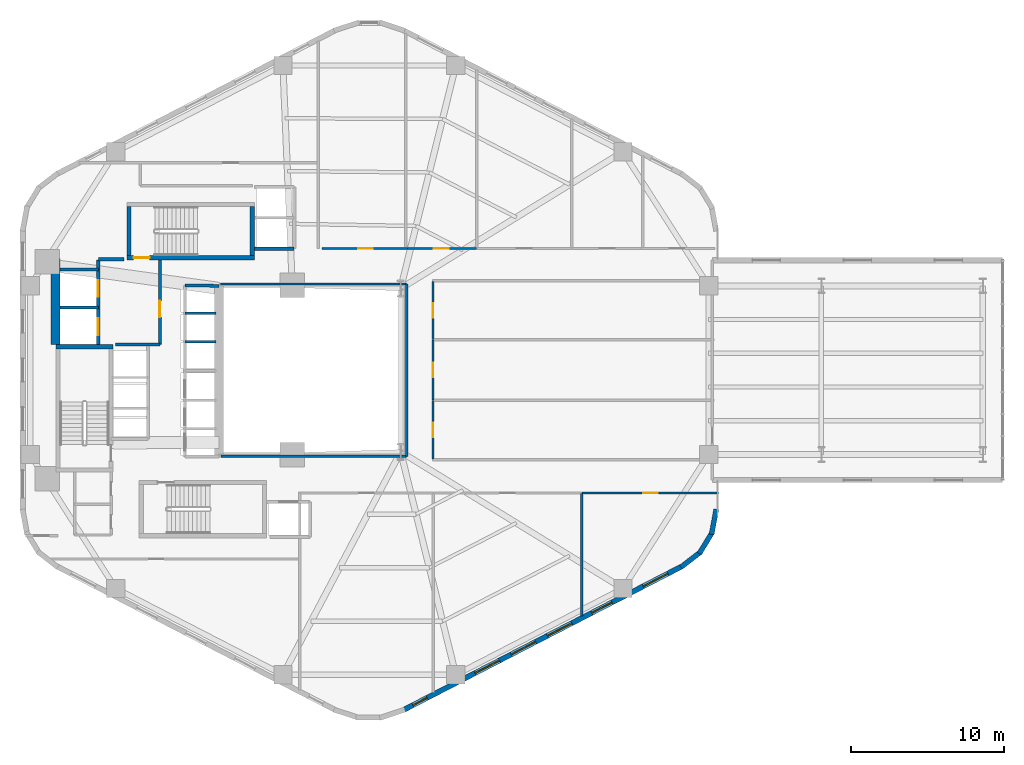
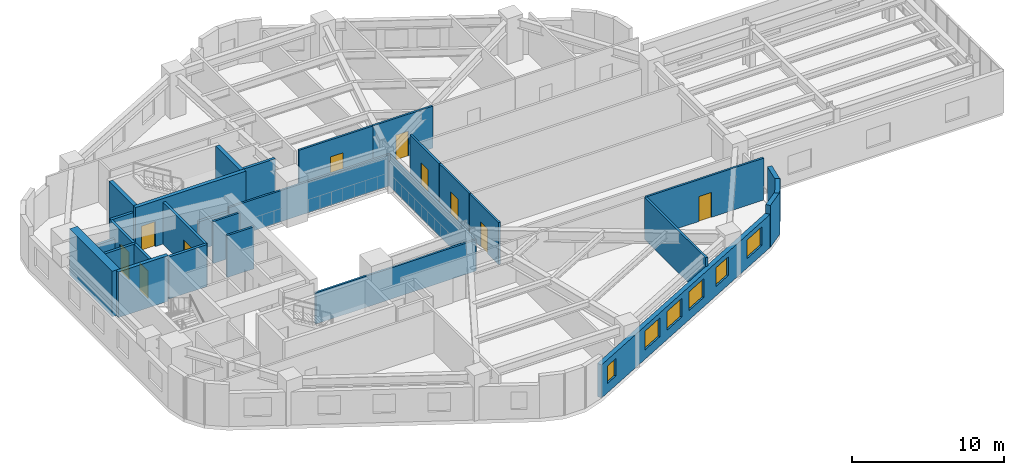
# One storey, part 6 of 10: 29 walls, 10 doors, 6 windows, 16 openings.
"""IFC4 building model written with IfcOpenShell, lengths in metres."""

from ifc_helpers import new_model, si_unit, direction, frame, frame_2d, origin, place, context, subcontext, project, spatial, rectangle, extrude, material, layer, layer_set, type_object, element, fill, save


model = new_model("IFC4")

# Units and contexts
model_context = context("Model", 3, precision=1e-05, world=origin(), true_north=direction((0.0, 1.0)))
body_context = subcontext(model_context, "Body", "Model", "MODEL_VIEW")
ifc_project = project(units=[si_unit("LENGTHUNIT", "METRE"), si_unit("AREAUNIT", "SQUARE_METRE"), si_unit("VOLUMEUNIT", "CUBIC_METRE"), si_unit("PLANEANGLEUNIT", "RADIAN"), si_unit("MASSUNIT", "GRAM", prefix="KILO"), si_unit("THERMODYNAMICTEMPERATUREUNIT", "KELVIN"), si_unit("POWERUNIT", "WATT")], contexts=[model_context])

# Site, building, storey
site_placement = place(None, origin())
site = spatial("IfcSite", under=ifc_project, at=site_placement, CompositionType="ELEMENT")
building_placement = place(site_placement, origin())
building = spatial("IfcBuilding", under=site, at=building_placement, Name="Skarre Station Tower", CompositionType="ELEMENT")
storey_placement = place(building_placement, frame((0.0, 0.0, 52.550048828125)))
storey = spatial("IfcBuildingStorey", under=building, at=storey_placement, Name="L13", CompositionType="ELEMENT", Elevation=52.550048828125)

# Walls
ifc_material_1 = material(Name="Acoustic Steel-Stud Gypsum Partition", Category="steel")
ifc_layer_1 = layer(ifc_material_1, 0.14990234375, Name="Acoustic Steel-Stud Gypsum Partition")
ifc_layer_set_1 = layer_set([ifc_layer_1], Name="Acoustic Steel-Stud Gypsum Partition")
wall_type_1 = type_object("IfcWallType", Name="Fire-Rated Corridor Acoustic Partition 150", PredefinedType="PARTITIONING", material=ifc_layer_set_1)
wall_1_placement = place(storey_placement, frame((27.699951171875, 18.360107421875, 0.0), z_axis=(0.0, 0.0, 1.0), x_axis=(1.0, 0.0, 0.0)))
element("IfcWall", 1, at=wall_1_placement, inside=storey, type_object=wall_type_1, Name="L13 Interior Partition WL-PT-L13-ATRW-S", PredefinedType="PARTITIONING", context=body_context, shape_type="SweptSolid", body=[
    extrude(rectangle(XDim=12.14013671875, YDim=0.14990234375, at=frame_2d((6.070068359375, 0.0))), origin(), (0.0, 0.0, 1.0), 2.5009765625),
])
wall_2_placement = place(storey_placement, frame((39.840087890625, 29.639892578125, 0.0), z_axis=(0.0, 0.0, 1.0), x_axis=(-1.0, 0.0, 0.0)))
element("IfcWall", 2, at=wall_2_placement, inside=storey, type_object=wall_type_1, Name="L13 Interior Partition WL-PT-L13-ATRW-N", PredefinedType="PARTITIONING", context=body_context, shape_type="SweptSolid", body=[
    extrude(rectangle(XDim=12.2001953125, YDim=0.14990234375, at=frame_2d((6.10009765625, 0.0))), origin(), (0.0, 0.0, 1.0), 2.5009765625),
])
wall_3_placement = place(storey_placement, frame((39.840087890625, 18.360107421875, 0.0), z_axis=(0.0, 0.0, 1.0), x_axis=(0.0, 1.0, 0.0)))
element("IfcWall", 3, at=wall_3_placement, inside=storey, type_object=wall_type_1, Name="L13 Interior Partition WL-PT-L13-ATRW-E", PredefinedType="PARTITIONING", context=body_context, shape_type="SweptSolid", body=[
    extrude(rectangle(XDim=11.27978515625, YDim=0.14990234375, at=frame_2d((5.639892578125, 0.0))), origin(), (0.0, 0.0, 1.0), 2.48291015625),
])

# Wall, opening, door
wall_4_placement = place(storey_placement, frame((39.89404296875, 31.9599609375, 0.0), z_axis=(0.0, 0.0, 1.0), x_axis=(-1.0, 0.0, 0.0)))
wall_4 = element("IfcWall", 4, at=wall_4_placement, inside=storey, type_object=wall_type_1, Name="L13 Interior Partition WL-PT-L13-NW1-CW", PredefinedType="PARTITIONING", context=body_context, shape_type="SweptSolid", body=[
    extrude(rectangle(XDim=5.60400390625, YDim=0.14990234375, at=frame_2d((2.802001953125, 0.0))), origin(), (0.0, 0.0, 1.0), 3.35986328125),
])
opening_1_placement = place(wall_4_placement, frame((2.264892578125, 0.0, 0.0)))
opening_1 = element("IfcOpeningElement", 5, at=opening_1_placement, cuts=wall_4, Name="Opening DR-FD60", PredefinedType="OPENING", context=body_context, shape_type="SweptSolid", body=[
    extrude(rectangle(XDim=0.9599609375, YDim=2.0, at=frame_2d((0.47998046875, 1.0))), frame((0.0, 0.0849609375, 0.0), z_axis=(0.0, -1.0, 0.0), x_axis=(1.0, 0.0, 0.0)), (0.0, 0.0, 1.0), 0.169921875),
])
ifc_material_2 = material(Name="Nordic White-Oak Veneer Solid-Core Fire Leaf", Category="wood")
door_type_1 = type_object("IfcDoorType", Name="Corridor Suite Entry Fire Door FD60 960x2150", OperationType="SINGLE_SWING_LEFT", PredefinedType="DOOR", material=ifc_material_2)
door_1_placement = place(opening_1_placement, origin())
door_1 = element("IfcDoor", 6, at=door_1_placement, inside=storey, type_object=door_type_1, Name="L13 NW1 Entry Door", OperationType="SINGLE_SWING_LEFT", OverallHeight=2.0, OverallWidth=0.9599609375, PredefinedType="DOOR", context=body_context, shape_type="SweptSolid", body=[
    extrude(rectangle(XDim=0.9599609375, YDim=2.0, at=frame_2d((0.47998046875, 1.0))), frame((0.0, 0.02490234375, 0.0), z_axis=(0.0, -1.0, 0.0), x_axis=(1.0, 0.0, 0.0)), (0.0, 0.0, 1.0), 0.050048828125),
])
fill(opening_1, door_1)

wall_5_placement = place(storey_placement, frame((44.4169921875, 31.9599609375, 0.0), z_axis=(0.0, 0.0, 1.0), x_axis=(-1.0, 0.0, 0.0)))
wall_5 = element("IfcWall", 7, at=wall_5_placement, inside=storey, type_object=wall_type_1, Name="L13 Interior Partition WL-PT-L13-NW2-CW", PredefinedType="PARTITIONING", context=body_context, shape_type="SweptSolid", body=[
    extrude(rectangle(XDim=4.512939453125, YDim=0.14990234375, at=frame_2d((2.25634765625, 0.0))), origin(), (0.0, 0.0, 1.0), 3.35986328125),
])
opening_2_placement = place(wall_5_placement, frame((1.833984375, 0.0, 0.0)))
opening_2 = element("IfcOpeningElement", 8, at=opening_2_placement, cuts=wall_5, Name="Opening DR-FD60", PredefinedType="OPENING", context=body_context, shape_type="SweptSolid", body=[
    extrude(rectangle(XDim=0.9599609375, YDim=2.0, at=frame_2d((0.47998046875, 1.0))), frame((0.0, 0.0849609375, 0.0), z_axis=(0.0, -1.0, 0.0), x_axis=(1.0, 0.0, 0.0)), (0.0, 0.0, 1.0), 0.169921875),
])
door_2_placement = place(opening_2_placement, origin())
door_2 = element("IfcDoor", 9, at=door_2_placement, inside=storey, type_object=door_type_1, Name="L13 NW2 Entry Door", OperationType="SINGLE_SWING_LEFT", OverallHeight=2.0, OverallWidth=0.9599609375, PredefinedType="DOOR", context=body_context, shape_type="SweptSolid", body=[
    extrude(rectangle(XDim=0.9599609375, YDim=2.0, at=frame_2d((0.47998046875, 1.0))), frame((0.0, 0.02490234375, 0.0), z_axis=(0.0, -1.0, 0.0), x_axis=(1.0, 0.0, 0.0)), (0.0, 0.0, 1.0), 0.050048828125),
])
fill(opening_2, door_2)

wall_6_placement = place(storey_placement, frame((41.56005859375, 18.179931640625, 0.0), z_axis=(0.0, 0.0, 1.0), x_axis=(0.0, 1.0, 0.0)))
wall_6 = element("IfcWall", 10, at=wall_6_placement, inside=storey, type_object=wall_type_1, Name="L13 Interior Partition WL-PT-L13-EW1-CW", PredefinedType="PARTITIONING", context=body_context, shape_type="SweptSolid", body=[
    extrude(rectangle(XDim=3.822998046875, YDim=0.14990234375, at=frame_2d((1.91162109375, 0.0))), origin(), (0.0, 0.0, 1.0), 3.35986328125),
])
opening_3_placement = place(wall_6_placement, frame((1.431884765625, 0.0, 0.0)))
opening_3 = element("IfcOpeningElement", 11, at=opening_3_placement, cuts=wall_6, Name="Opening DR-FD60", PredefinedType="OPENING", context=body_context, shape_type="SweptSolid", body=[
    extrude(rectangle(XDim=0.9599609375, YDim=2.0, at=frame_2d((0.47998046875, 1.0))), frame((0.0, 0.0849609375, 0.0), z_axis=(0.0, -1.0, 0.0), x_axis=(1.0, 0.0, 0.0)), (0.0, 0.0, 1.0), 0.169921875),
])
door_3_placement = place(opening_3_placement, origin())
door_3 = element("IfcDoor", 12, at=door_3_placement, inside=storey, type_object=door_type_1, Name="L13 EW1 Entry Door", OperationType="SINGLE_SWING_LEFT", OverallHeight=2.0, OverallWidth=0.9599609375, PredefinedType="DOOR", context=body_context, shape_type="SweptSolid", body=[
    extrude(rectangle(XDim=0.9599609375, YDim=2.0, at=frame_2d((0.47998046875, 1.0))), frame((0.0, 0.02490234375, 0.0), z_axis=(0.0, -1.0, 0.0), x_axis=(1.0, 0.0, 0.0)), (0.0, 0.0, 1.0), 0.050048828125),
])
fill(opening_3, door_3)

wall_7_placement = place(storey_placement, frame((41.56005859375, 22.0390625, 0.0), z_axis=(0.0, 0.0, 1.0), x_axis=(0.0, 1.0, 0.0)))
wall_7 = element("IfcWall", 13, at=wall_7_placement, inside=storey, type_object=wall_type_1, Name="L13 Interior Partition WL-PT-L13-EW2-CW", PredefinedType="PARTITIONING", context=body_context, shape_type="SweptSolid", body=[
    extrude(rectangle(XDim=3.921875, YDim=0.14990234375, at=frame_2d((1.9609375, 0.0))), origin(), (0.0, 0.0, 1.0), 3.35986328125),
])
opening_4_placement = place(wall_7_placement, frame((1.48095703125, 0.0, 0.0)))
opening_4 = element("IfcOpeningElement", 14, at=opening_4_placement, cuts=wall_7, Name="Opening DR-FD60", PredefinedType="OPENING", context=body_context, shape_type="SweptSolid", body=[
    extrude(rectangle(XDim=0.9599609375, YDim=2.0, at=frame_2d((0.47998046875, 1.0))), frame((0.0, 0.0849609375, 0.0), z_axis=(0.0, -1.0, 0.0), x_axis=(1.0, 0.0, 0.0)), (0.0, 0.0, 1.0), 0.169921875),
])
door_4_placement = place(opening_4_placement, origin())
door_4 = element("IfcDoor", 15, at=door_4_placement, inside=storey, type_object=door_type_1, Name="L13 EW2 Entry Door", OperationType="SINGLE_SWING_LEFT", OverallHeight=2.0, OverallWidth=0.9599609375, PredefinedType="DOOR", context=body_context, shape_type="SweptSolid", body=[
    extrude(rectangle(XDim=0.9599609375, YDim=2.0, at=frame_2d((0.47998046875, 1.0))), frame((0.0, 0.02490234375, 0.0), z_axis=(0.0, -1.0, 0.0), x_axis=(1.0, 0.0, 0.0)), (0.0, 0.0, 1.0), 0.050048828125),
])
fill(opening_4, door_4)

wall_8_placement = place(storey_placement, frame((41.56005859375, 25.9970703125, 0.0), z_axis=(0.0, 0.0, 1.0), x_axis=(0.0, 1.0, 0.0)))
wall_8 = element("IfcWall", 16, at=wall_8_placement, inside=storey, type_object=wall_type_1, Name="L13 Interior Partition WL-PT-L13-EW3-CW", PredefinedType="PARTITIONING", context=body_context, shape_type="SweptSolid", body=[
    extrude(rectangle(XDim=3.822998046875, YDim=0.14990234375, at=frame_2d((1.91162109375, 0.0))), origin(), (0.0, 0.0, 1.0), 3.35986328125),
])
opening_5_placement = place(wall_8_placement, frame((1.431884765625, 0.0, 0.0)))
opening_5 = element("IfcOpeningElement", 17, at=opening_5_placement, cuts=wall_8, Name="Opening DR-FD60", PredefinedType="OPENING", context=body_context, shape_type="SweptSolid", body=[
    extrude(rectangle(XDim=0.9599609375, YDim=2.0, at=frame_2d((0.47998046875, 1.0))), frame((0.0, 0.0849609375, 0.0), z_axis=(0.0, -1.0, 0.0), x_axis=(1.0, 0.0, 0.0)), (0.0, 0.0, 1.0), 0.169921875),
])
door_5_placement = place(opening_5_placement, origin())
door_5 = element("IfcDoor", 18, at=door_5_placement, inside=storey, type_object=door_type_1, Name="L13 EW3 Entry Door", OperationType="SINGLE_SWING_LEFT", OverallHeight=2.0, OverallWidth=0.9599609375, PredefinedType="DOOR", context=body_context, shape_type="SweptSolid", body=[
    extrude(rectangle(XDim=0.9599609375, YDim=2.0, at=frame_2d((0.47998046875, 1.0))), frame((0.0, 0.02490234375, 0.0), z_axis=(0.0, -1.0, 0.0), x_axis=(1.0, 0.0, 0.0)), (0.0, 0.0, 1.0), 0.050048828125),
])
fill(opening_5, door_5)

wall_9_placement = place(storey_placement, frame((51.326904296875, 15.9599609375, 0.0), z_axis=(0.0, 0.0, 1.0), x_axis=(1.0, 0.0, 0.0)))
wall_9 = element("IfcWall", 19, at=wall_9_placement, inside=storey, type_object=wall_type_1, Name="L13 Interior Partition WL-PT-L13-SW3-CW", PredefinedType="PARTITIONING", context=body_context, shape_type="SweptSolid", body=[
    extrude(rectangle(XDim=8.926025390625, YDim=0.14990234375, at=frame_2d((4.462890625, 0.0))), origin(), (0.0, 0.0, 1.0), 3.35986328125),
])
opening_6_placement = place(wall_9_placement, frame((3.9970703125, 0.0, 0.0)))
opening_6 = element("IfcOpeningElement", 20, at=opening_6_placement, cuts=wall_9, Name="Opening DR-FD60", PredefinedType="OPENING", context=body_context, shape_type="SweptSolid", body=[
    extrude(rectangle(XDim=0.9599609375, YDim=2.0, at=frame_2d((0.47998046875, 1.0))), frame((0.0, 0.0849609375, 0.0), z_axis=(0.0, -1.0, 0.0), x_axis=(1.0, 0.0, 0.0)), (0.0, 0.0, 1.0), 0.169921875),
])
door_6_placement = place(opening_6_placement, origin())
door_6 = element("IfcDoor", 21, at=door_6_placement, inside=storey, type_object=door_type_1, Name="L13 SW3 Entry Door", OperationType="SINGLE_SWING_LEFT", OverallHeight=2.0, OverallWidth=0.9599609375, PredefinedType="DOOR", context=body_context, shape_type="SweptSolid", body=[
    extrude(rectangle(XDim=0.9599609375, YDim=2.0, at=frame_2d((0.47998046875, 1.0))), frame((0.0, 0.02490234375, 0.0), z_axis=(0.0, -1.0, 0.0), x_axis=(1.0, 0.0, 0.0)), (0.0, 0.0, 1.0), 0.050048828125),
])
fill(opening_6, door_6)

# Wall, openings, windows
ifc_material_3 = material(Name="Precast concrete C45/55", Category="concrete")
ifc_layer_2 = layer(ifc_material_3, 0.340087890625, Name="Precast concrete C45/55")
ifc_layer_set_2 = layer_set([ifc_layer_2], Name="Precast concrete C45/55")
wall_type_2 = type_object("IfcWallType", Name="Nordic Honed Precast Facet Wall 340", PredefinedType="STANDARD", material=ifc_layer_set_2)
wall_10_placement = place(storey_placement, frame((57.8759765625, 11.158935546875, 0.0), z_axis=(0.0, 0.0, 1.0), x_axis=(-0.888634413993, -0.458616264721, 0.0)))
wall_10 = element("IfcWall", 22, at=wall_10_placement, inside=storey, type_object=wall_type_2, Name="L13 Facet 4 Nordic Precast Masonry Wall", PredefinedType="STANDARD", context=body_context, shape_type="SweptSolid", body=[
    extrude(rectangle(XDim=20.53125, YDim=0.340087890625, at=frame_2d((10.265625, 0.0))), origin(), (0.0, 0.0, 1.0), 2.654052734375),
])
opening_7_placement = place(wall_10_placement, frame((1.05810546875, 0.0, 0.75)))
opening_7 = element("IfcOpeningElement", 23, at=opening_7_placement, cuts=wall_10, Name="Opening WN-Z1A", PredefinedType="OPENING", context=body_context, shape_type="SweptSolid", body=[
    extrude(rectangle(XDim=1.800048828125, YDim=1.5, at=frame_2d((0.89990234375, 0.75))), frame((0.0, 0.179931640625, 0.0), z_axis=(0.0, -1.0, 0.0), x_axis=(1.0, 0.0, 0.0)), (0.0, 0.0, 1.0), 0.360107421875),
])
opening_8_placement = place(wall_10_placement, frame((5.156005859375, 0.0, 0.75)))
opening_8 = element("IfcOpeningElement", 24, at=opening_8_placement, cuts=wall_10, Name="Opening WN-Z1B", PredefinedType="OPENING", context=body_context, shape_type="SweptSolid", body=[
    extrude(rectangle(XDim=1.5, YDim=1.5, at=frame_2d((0.75, 0.75))), frame((0.0, 0.179931640625, 0.0), z_axis=(0.0, -1.0, 0.0), x_axis=(1.0, 0.0, 0.0)), (0.0, 0.0, 1.0), 0.360107421875),
])
opening_9_placement = place(wall_10_placement, frame((8.123046875, 0.0, 0.75)))
opening_9 = element("IfcOpeningElement", 25, at=opening_9_placement, cuts=wall_10, Name="Opening WN-Z1A", PredefinedType="OPENING", context=body_context, shape_type="SweptSolid", body=[
    extrude(rectangle(XDim=1.800048828125, YDim=1.5, at=frame_2d((0.89990234375, 0.75))), frame((0.0, 0.179931640625, 0.0), z_axis=(0.0, -1.0, 0.0), x_axis=(1.0, 0.0, 0.0)), (0.0, 0.0, 1.0), 0.360107421875),
])
opening_10_placement = place(wall_10_placement, frame((10.7880859375, 0.0, 0.75)))
opening_10 = element("IfcOpeningElement", 26, at=opening_10_placement, cuts=wall_10, Name="Opening WN-Z1A", PredefinedType="OPENING", context=body_context, shape_type="SweptSolid", body=[
    extrude(rectangle(XDim=1.800048828125, YDim=1.5, at=frame_2d((0.89990234375, 0.75))), frame((0.0, 0.179931640625, 0.0), z_axis=(0.0, -1.0, 0.0), x_axis=(1.0, 0.0, 0.0)), (0.0, 0.0, 1.0), 0.360107421875),
])
opening_11_placement = place(wall_10_placement, frame((13.452880859375, 0.0, 0.75)))
opening_11 = element("IfcOpeningElement", 27, at=opening_11_placement, cuts=wall_10, Name="Opening WN-Z1A", PredefinedType="OPENING", context=body_context, shape_type="SweptSolid", body=[
    extrude(rectangle(XDim=1.800048828125, YDim=1.5, at=frame_2d((0.89990234375, 0.75))), frame((0.0, 0.179931640625, 0.0), z_axis=(0.0, -1.0, 0.0), x_axis=(1.0, 0.0, 0.0)), (0.0, 0.0, 1.0), 0.360107421875),
])
opening_12_placement = place(wall_10_placement, frame((18.7880859375, 0.0, 0.75)))
opening_12 = element("IfcOpeningElement", 28, at=opening_12_placement, cuts=wall_10, Name="Opening WN-SLT", PredefinedType="OPENING", context=body_context, shape_type="SweptSolid", body=[
    extrude(rectangle(XDim=1.050048828125, YDim=1.39990234375, at=frame_2d((0.52490234375, 0.699951171875))), frame((0.0, 0.179931640625, 0.0), z_axis=(0.0, -1.0, 0.0), x_axis=(1.0, 0.0, 0.0)), (0.0, 0.0, 1.0), 0.360107421875),
])
ifc_material_4 = material(Name="Low-Iron Triple Glazing with Bronze Anodized Frame", Category="glass")
window_type_1 = type_object("IfcWindowType", Name="Nordic Corner Slot Window 1050x1400", PartitioningType="SINGLE_PANEL", PredefinedType="WINDOW", material=ifc_material_4)
window_1_placement = place(opening_12_placement, origin())
window_1 = element("IfcWindow", 29, at=window_1_placement, inside=storey, type_object=window_type_1, Name="L13 Facade Window WL-FAC-L13-F4-6", OverallHeight=1.39990234375, OverallWidth=1.050048828125, PartitioningType="SINGLE_PANEL", PredefinedType="WINDOW", context=body_context, shape_type="SweptSolid", body=[
    extrude(rectangle(XDim=1.050048828125, YDim=1.39990234375, at=frame_2d((0.52490234375, 0.699951171875))), frame((0.0, 0.030029296875, 0.0), z_axis=(0.0, -1.0, 0.0), x_axis=(1.0, 0.0, 0.0)), (0.0, 0.0, 1.0), 0.06005859375),
])
fill(opening_12, window_1)
window_type_2 = type_object("IfcWindowType", Name="Nordic Punched Triple-Glazed Window 1500x1500", PartitioningType="SINGLE_PANEL", PredefinedType="WINDOW", material=ifc_material_4)
window_2_placement = place(opening_8_placement, origin())
window_2 = element("IfcWindow", 30, at=window_2_placement, inside=storey, type_object=window_type_2, Name="L13 Facade Window WL-FAC-L13-F4-2", OverallHeight=1.5, OverallWidth=1.5, PartitioningType="SINGLE_PANEL", PredefinedType="WINDOW", context=body_context, shape_type="SweptSolid", body=[
    extrude(rectangle(XDim=1.5, YDim=1.5, at=frame_2d((0.75, 0.75))), frame((0.0, 0.030029296875, 0.0), z_axis=(0.0, -1.0, 0.0), x_axis=(1.0, 0.0, 0.0)), (0.0, 0.0, 1.0), 0.06005859375),
])
fill(opening_8, window_2)
window_type_3 = type_object("IfcWindowType", Name="Nordic Punched Triple-Glazed Window 1800x1500", PartitioningType="SINGLE_PANEL", PredefinedType="WINDOW", material=ifc_material_4)
window_3_placement = place(opening_7_placement, origin())
window_3 = element("IfcWindow", 31, at=window_3_placement, inside=storey, type_object=window_type_3, Name="L13 Facade Window WL-FAC-L13-F4-1", OverallHeight=1.5, OverallWidth=1.800048828125, PartitioningType="SINGLE_PANEL", PredefinedType="WINDOW", context=body_context, shape_type="SweptSolid", body=[
    extrude(rectangle(XDim=1.800048828125, YDim=1.5, at=frame_2d((0.89990234375, 0.75))), frame((0.0, 0.030029296875, 0.0), z_axis=(0.0, -1.0, 0.0), x_axis=(1.0, 0.0, 0.0)), (0.0, 0.0, 1.0), 0.06005859375),
])
fill(opening_7, window_3)
window_4_placement = place(opening_9_placement, origin())
window_4 = element("IfcWindow", 32, at=window_4_placement, inside=storey, type_object=window_type_3, Name="L13 Facade Window WL-FAC-L13-F4-3", OverallHeight=1.5, OverallWidth=1.800048828125, PartitioningType="SINGLE_PANEL", PredefinedType="WINDOW", context=body_context, shape_type="SweptSolid", body=[
    extrude(rectangle(XDim=1.800048828125, YDim=1.5, at=frame_2d((0.89990234375, 0.75))), frame((0.0, 0.030029296875, 0.0), z_axis=(0.0, -1.0, 0.0), x_axis=(1.0, 0.0, 0.0)), (0.0, 0.0, 1.0), 0.06005859375),
])
fill(opening_9, window_4)
window_5_placement = place(opening_10_placement, origin())
window_5 = element("IfcWindow", 33, at=window_5_placement, inside=storey, type_object=window_type_3, Name="L13 Facade Window WL-FAC-L13-F4-4", OverallHeight=1.5, OverallWidth=1.800048828125, PartitioningType="SINGLE_PANEL", PredefinedType="WINDOW", context=body_context, shape_type="SweptSolid", body=[
    extrude(rectangle(XDim=1.800048828125, YDim=1.5, at=frame_2d((0.89990234375, 0.75))), frame((0.0, 0.030029296875, 0.0), z_axis=(0.0, -1.0, 0.0), x_axis=(1.0, 0.0, 0.0)), (0.0, 0.0, 1.0), 0.06005859375),
])
fill(opening_10, window_5)
window_6_placement = place(opening_11_placement, origin())
window_6 = element("IfcWindow", 34, at=window_6_placement, inside=storey, type_object=window_type_3, Name="L13 Facade Window WL-FAC-L13-F4-5", OverallHeight=1.5, OverallWidth=1.800048828125, PartitioningType="SINGLE_PANEL", PredefinedType="WINDOW", context=body_context, shape_type="SweptSolid", body=[
    extrude(rectangle(XDim=1.800048828125, YDim=1.5, at=frame_2d((0.89990234375, 0.75))), frame((0.0, 0.030029296875, 0.0), z_axis=(0.0, -1.0, 0.0), x_axis=(1.0, 0.0, 0.0)), (0.0, 0.0, 1.0), 0.06005859375),
])
fill(opening_11, window_6)

# Walls
ifc_layer_3 = layer(ifc_material_3, 0.330078125, Name="Precast concrete C45/55")
ifc_layer_set_3 = layer_set([ifc_layer_3], Name="Precast concrete C45/55")
wall_type_3 = type_object("IfcWallType", Name="Nordic Rounded Corner Precast Wall 330", PredefinedType="STANDARD", material=ifc_layer_set_3)
wall_11_placement = place(storey_placement, frame((60.113037109375, 14.89208984375, 0.0), z_axis=(0.0, 0.0, 1.0), x_axis=(-0.181714143354, -0.983351397063, 0.0)))
element("IfcWall", 35, at=wall_11_placement, inside=storey, type_object=wall_type_3, Name="L13 Rounded Corner Precast Wall F5-1", PredefinedType="STANDARD", context=body_context, shape_type="SweptSolid", body=[
    extrude(rectangle(XDim=1.677978515625, YDim=0.330078125, at=frame_2d((0.8388671875, 0.0))), origin(), (0.0, 0.0, 1.0), 3.35986328125),
])
wall_12_placement = place(storey_placement, frame((59.875, 13.4169921875, 0.0), z_axis=(0.0, 0.0, 1.0), x_axis=(-0.520584129191, -0.853810379671, 0.0)))
element("IfcWall", 36, at=wall_12_placement, inside=storey, type_object=wall_type_3, Name="L13 Rounded Corner Precast Wall F5-2", PredefinedType="STANDARD", context=body_context, shape_type="SweptSolid", body=[
    extrude(rectangle(XDim=1.677001953125, YDim=0.330078125, at=frame_2d((0.83837890625, 0.0))), origin(), (0.0, 0.0, 1.0), 3.35986328125),
])
wall_13_placement = place(storey_placement, frame((59.126953125, 12.125, 0.0), z_axis=(0.0, 0.0, 1.0), x_axis=(-0.790691856293, -0.61221433207, 0.0)))
element("IfcWall", 37, at=wall_13_placement, inside=storey, type_object=wall_type_3, Name="L13 Rounded Corner Precast Wall F5-3", PredefinedType="STANDARD", context=body_context, shape_type="SweptSolid", body=[
    extrude(rectangle(XDim=1.67578125, YDim=0.330078125, at=frame_2d((0.837890625, 0.0))), origin(), (0.0, 0.0, 1.0), 3.35986328125),
])
ifc_material_5 = material(Name="Concrete C50/60", Category="concrete")
ifc_layer_4 = layer(ifc_material_5, 0.280029296875, Name="Concrete C50/60")
ifc_layer_set_4 = layer_set([ifc_layer_4], Name="Concrete C50/60")
wall_type_4 = type_object("IfcWallType", Name="RC Core Shear Wall 280", PredefinedType="SHEAR", material=ifc_layer_set_4)
wall_14_placement = place(storey_placement, frame((20.6298828125, 25.5400390625, 0.0), z_axis=(0.0, 0.0, 1.0), x_axis=(-1.0, 0.0, 0.0)))
element("IfcWall", 38, at=wall_14_placement, inside=storey, type_object=wall_type_4, Name="L13 Stair ST-1 North Shear Wall", PredefinedType="SHEAR", context=body_context, shape_type="SweptSolid", body=[
    extrude(rectangle(XDim=3.759765625, YDim=0.280029296875, at=frame_2d((1.8798828125, 0.0))), origin(), (0.0, 0.0, 1.0), 3.64990234375),
])

# Wall, opening, door
wall_15_placement = place(storey_placement, frame((21.52001953125, 31.360107421875, 0.0), z_axis=(0.0, 0.0, 1.0), x_axis=(1.0, 0.0, 0.0)))
wall_15 = element("IfcWall", 39, at=wall_15_placement, inside=storey, type_object=wall_type_4, Name="L13 Stair ST-3 South Shear Wall", PredefinedType="SHEAR", context=body_context, shape_type="SweptSolid", body=[
    extrude(rectangle(XDim=8.35986328125, YDim=0.280029296875, at=frame_2d((4.179931640625, 0.0))), origin(), (0.0, 0.0, 1.0), 3.64990234375),
])
opening_13_placement = place(wall_15_placement, frame((0.449951171875, 0.0, 0.0)))
opening_13 = element("IfcOpeningElement", 40, at=opening_13_placement, cuts=wall_15, Name="Opening DR-FD90", PredefinedType="OPENING", context=body_context, shape_type="SweptSolid", body=[
    extrude(rectangle(XDim=1.050048828125, YDim=2.0, at=frame_2d((0.52490234375, 1.0))), frame((0.0, 0.14990234375, 0.0), z_axis=(0.0, -1.0, 0.0), x_axis=(1.0, 0.0, 0.0)), (0.0, 0.0, 1.0), 0.300048828125),
])
ifc_material_6 = material(Name="Fire-Rated Insulated Steel Frame & Timber Core Leaf", Category="steel")
door_type_2 = type_object("IfcDoorType", Name="Stair & FSAE Lobby Fire Door FD90 1050x2150", OperationType="SINGLE_SWING_RIGHT", PredefinedType="DOOR", material=ifc_material_6)
door_7_placement = place(opening_13_placement, origin())
door_7 = element("IfcDoor", 41, at=door_7_placement, inside=storey, type_object=door_type_2, Name="L13 Stair ST-3 & FSAE Lobby Direct Exit Door", OperationType="SINGLE_SWING_LEFT", OverallHeight=2.0, OverallWidth=1.050048828125, PredefinedType="DOOR", context=body_context, shape_type="SweptSolid", body=[
    extrude(rectangle(XDim=1.050048828125, YDim=2.0, at=frame_2d((0.52490234375, 1.0))), frame((0.0, 0.02490234375, 0.0), z_axis=(0.0, -1.0, 0.0), x_axis=(1.0, 0.0, 0.0)), (0.0, 0.0, 1.0), 0.050048828125),
])
fill(opening_13, door_7)

# Walls
for number, where, z_axis, x_axis, name in (
    (42, (21.659912109375, 34.699951171875, 0.0), (0.0, 0.0, 1.0), (0.0, -1.0, 0.0), "L13 Stair ST-3 West Shear Wall"),
    (43, (29.739990234375, 31.5, 0.0), (0.0, 0.0, 1.0), (0.0, 1.0, 0.0), "L13 Stair ST-3 East Shear Wall"),
):
    element("IfcWall", number, at=place(storey_placement, frame(where, z_axis=z_axis, x_axis=x_axis)), inside=storey, type_object=wall_type_4, Name=name, PredefinedType="SHEAR", context=body_context, shape_type="SweptSolid", body=[
        extrude(rectangle(XDim=3.199951171875, YDim=0.280029296875, at=frame_2d((1.60009765625, 0.0))), origin(), (0.0, 0.0, 1.0), 3.64990234375),
    ])
ifc_material_7 = material(Name="Concrete C70/85", Category="concrete")
ifc_layer_5 = layer(ifc_material_7, 0.60009765625, Name="Concrete C70/85")
ifc_layer_set_5 = layer_set([ifc_layer_5], Name="Concrete C70/85")
wall_type_5 = type_object("IfcWallType", Name="RC Core Shear Wall 600", PredefinedType="SHEAR", material=ifc_layer_set_5)
wall_16_placement = place(storey_placement, frame((16.85009765625, 25.679931640625, 0.0), z_axis=(0.0, 0.0, 1.0), x_axis=(0.0, 1.0, 0.0)))
element("IfcWall", 44, at=wall_16_placement, inside=storey, type_object=wall_type_5, Name="L13 Core West-North Shear Wall", PredefinedType="SHEAR", context=body_context, shape_type="SweptSolid", body=[
    extrude(rectangle(XDim=5.6201171875, YDim=0.60009765625, at=frame_2d((2.81005859375, 0.0))), origin(), (0.0, 0.0, 1.0), 3.64990234375),
])

# Wall, openings, doors
ifc_material_8 = material(Name="Gypsum Concrete Shaft Assembly C30/37", Category="concrete")
ifc_layer_6 = layer(ifc_material_8, 0.199951171875, Name="Gypsum Concrete Shaft Assembly C30/37")
ifc_layer_set_6 = layer_set([ifc_layer_6], Name="Gypsum Concrete Shaft Assembly C30/37")
wall_type_6 = type_object("IfcWallType", Name="Shaft & Core Fire Partition 200", PredefinedType="PARTITIONING", material=ifc_layer_set_6)
wall_17_placement = place(storey_placement, frame((19.64990234375, 25.679931640625, 0.0), z_axis=(0.0, 0.0, 1.0), x_axis=(0.0, 1.0, 0.0)))
wall_17 = element("IfcWall", 45, at=wall_17_placement, inside=storey, type_object=wall_type_6, Name="L13 Interior Partition WL-PT-L13-FSAE-W", PredefinedType="PARTITIONING", context=body_context, shape_type="SweptSolid", body=[
    extrude(rectangle(XDim=5.5400390625, YDim=0.199951171875, at=frame_2d((2.77001953125, 0.0))), origin(), (0.0, 0.0, 1.0), 3.35986328125),
])
opening_14_placement = place(wall_17_placement, frame((0.6201171875, 0.0, 0.0)))
opening_14 = element("IfcOpeningElement", 46, at=opening_14_placement, cuts=wall_17, Name="Opening LD-FF1", PredefinedType="OPENING", context=body_context, shape_type="SweptSolid", body=[
    extrude(rectangle(XDim=1.10009765625, YDim=2.199951171875, at=frame_2d((0.550048828125, 1.10009765625))), frame((0.0, 0.10986328125, 0.0), z_axis=(0.0, -1.0, 0.0), x_axis=(1.0, 0.0, 0.0)), (0.0, 0.0, 1.0), 0.219970703125),
])
opening_15_placement = place(wall_17_placement, frame((3.1201171875, 0.0, 0.0)))
opening_15 = element("IfcOpeningElement", 47, at=opening_15_placement, cuts=wall_17, Name="Opening LD-FF2", PredefinedType="OPENING", context=body_context, shape_type="SweptSolid", body=[
    extrude(rectangle(XDim=1.10009765625, YDim=2.199951171875, at=frame_2d((0.550048828125, 1.10009765625))), frame((0.0, 0.10986328125, 0.0), z_axis=(0.0, -1.0, 0.0), x_axis=(1.0, 0.0, 0.0)), (0.0, 0.0, 1.0), 0.219970703125),
])
ifc_material_9 = material(Name="Fire-Rated Stainless Steel Grade 316L Sliding Leaves", Category="steel")
door_type_3 = type_object("IfcDoorType", Name="Fire Service Access Elevator Sliding Landing Door 1100x2200", OperationType="SLIDING_TO_LEFT", PredefinedType="DOOR", material=ifc_material_9)
door_8_placement = place(opening_14_placement, origin())
door_8 = element("IfcDoor", 48, at=door_8_placement, inside=storey, type_object=door_type_3, Name="L13 Firefighting Lift LF-FF1 Landing Door", OperationType="SLIDING_TO_LEFT", OverallHeight=2.199951171875, OverallWidth=1.10009765625, PredefinedType="DOOR", context=body_context, shape_type="SweptSolid", body=[
    extrude(rectangle(XDim=1.10009765625, YDim=2.199951171875, at=frame_2d((0.550048828125, 1.10009765625))), frame((0.0, 0.02490234375, 0.0), z_axis=(0.0, -1.0, 0.0), x_axis=(1.0, 0.0, 0.0)), (0.0, 0.0, 1.0), 0.050048828125),
])
fill(opening_14, door_8)
door_9_placement = place(opening_15_placement, origin())
door_9 = element("IfcDoor", 49, at=door_9_placement, inside=storey, type_object=door_type_3, Name="L13 Firefighting Lift LF-FF2 Landing Door", OperationType="SLIDING_TO_LEFT", OverallHeight=2.199951171875, OverallWidth=1.10009765625, PredefinedType="DOOR", context=body_context, shape_type="SweptSolid", body=[
    extrude(rectangle(XDim=1.10009765625, YDim=2.199951171875, at=frame_2d((0.550048828125, 1.10009765625))), frame((0.0, 0.02490234375, 0.0), z_axis=(0.0, -1.0, 0.0), x_axis=(1.0, 0.0, 0.0)), (0.0, 0.0, 1.0), 0.050048828125),
])
fill(opening_15, door_9)

# Wall
wall_18_placement = place(storey_placement, frame((20.79296875, 25.679931640625, 0.0), z_axis=(0.0, 0.0, 1.0), x_axis=(1.0, 0.0, 0.0)))
element("IfcWall", 50, at=wall_18_placement, inside=storey, type_object=wall_type_6, Name="L13 Interior Partition WL-PT-L13-FSAE-S", PredefinedType="PARTITIONING", context=body_context, shape_type="SweptSolid", body=[
    extrude(rectangle(XDim=2.886962890625, YDim=0.199951171875, at=frame_2d((1.443359375, 0.0))), origin(), (0.0, 0.0, 1.0), 3.35986328125),
])

# Wall, opening, door
wall_19_placement = place(storey_placement, frame((23.679931640625, 25.679931640625, 0.0), z_axis=(0.0, 0.0, 1.0), x_axis=(0.0, 1.0, 0.0)))
wall_19 = element("IfcWall", 51, at=wall_19_placement, inside=storey, type_object=wall_type_6, Name="L13 Interior Partition WL-PT-L13-FSAE-E", PredefinedType="PARTITIONING", context=body_context, shape_type="SweptSolid", body=[
    extrude(rectangle(XDim=5.5400390625, YDim=0.199951171875, at=frame_2d((2.77001953125, 0.0))), origin(), (0.0, 0.0, 1.0), 3.35986328125),
])
opening_16_placement = place(wall_19_placement, frame((1.800048828125, 0.0, 0.0)))
opening_16 = element("IfcOpeningElement", 52, at=opening_16_placement, cuts=wall_19, Name="Opening DR-FD90", PredefinedType="OPENING", context=body_context, shape_type="SweptSolid", body=[
    extrude(rectangle(XDim=1.050048828125, YDim=2.0, at=frame_2d((0.52490234375, 1.0))), frame((0.0, 0.10986328125, 0.0), z_axis=(0.0, -1.0, 0.0), x_axis=(1.0, 0.0, 0.0)), (0.0, 0.0, 1.0), 0.219970703125),
])
door_10_placement = place(opening_16_placement, origin())
door_10 = element("IfcDoor", 53, at=door_10_placement, inside=storey, type_object=door_type_2, Name="L13 FSAE Lobby Fire Door", OperationType="SINGLE_SWING_RIGHT", OverallHeight=2.0, OverallWidth=1.050048828125, PredefinedType="DOOR", context=body_context, shape_type="SweptSolid", body=[
    extrude(rectangle(XDim=1.050048828125, YDim=2.0, at=frame_2d((0.52490234375, 1.0))), frame((0.0, 0.02490234375, 0.0), z_axis=(0.0, -1.0, 0.0), x_axis=(1.0, 0.0, 0.0)), (0.0, 0.0, 1.0), 0.050048828125),
])
fill(opening_16, door_10)

# Walls
wall_20_placement = place(storey_placement, frame((21.330078125, 31.260009765625, 0.0), z_axis=(0.0, 0.0, 1.0), x_axis=(-1.0, 0.0, 0.0)))
element("IfcWall", 54, at=wall_20_placement, inside=storey, type_object=wall_type_6, Name="L13 Interior Partition WL-PT-L13-FSAE-N", PredefinedType="PARTITIONING", context=body_context, shape_type="SweptSolid", body=[
    extrude(rectangle(XDim=1.68017578125, YDim=0.199951171875, at=frame_2d((0.840087890625, 0.0))), origin(), (0.0, 0.0, 1.0), 3.35986328125),
])
wall_21_placement = place(storey_placement, frame((17.14990234375, 28.10009765625, 0.0), z_axis=(0.0, 0.0, 1.0), x_axis=(1.0, 0.0, 0.0)))
element("IfcWall", 55, at=wall_21_placement, inside=storey, type_object=wall_type_6, Name="L13 Interior Partition WL-PT-L13-FF-DIV", PredefinedType="PARTITIONING", context=body_context, shape_type="SweptSolid", body=[
    extrude(rectangle(XDim=2.5, YDim=0.199951171875, at=frame_2d((1.25, 0.0))), origin(), (0.0, 0.0, 1.0), 3.35986328125),
])
wall_22_placement = place(storey_placement, frame((19.64990234375, 30.60009765625, 0.0), z_axis=(0.0, 0.0, 1.0), x_axis=(-1.0, 0.0, 0.0)))
element("IfcWall", 56, at=wall_22_placement, inside=storey, type_object=wall_type_6, Name="L13 Interior Partition WL-PT-L13-FF-N", PredefinedType="PARTITIONING", context=body_context, shape_type="SweptSolid", body=[
    extrude(rectangle(XDim=2.5, YDim=0.199951171875, at=frame_2d((1.25, 0.0))), origin(), (0.0, 0.0, 1.0), 2.260009765625),
])
wall_23_placement = place(storey_placement, frame((32.47998046875, 31.949951171875, 0.0), z_axis=(0.0, 0.0, 1.0), x_axis=(-1.0, 0.0, 0.0)))
element("IfcWall", 57, at=wall_23_placement, inside=storey, type_object=wall_type_6, Name="L13 Interior Partition WL-PT-L13-EX-S", PredefinedType="PARTITIONING", context=body_context, shape_type="SweptSolid", body=[
    extrude(rectangle(XDim=2.60009765625, YDim=0.199951171875, at=frame_2d((1.300048828125, 0.0))), origin(), (0.0, 0.0, 1.0), 3.35986328125),
])
wall_24_placement = place(storey_placement, frame((27.550048828125, 29.52001953125, 0.0), z_axis=(0.0, 0.0, 1.0), x_axis=(-0.999909343457, 0.013464949556, 0.0)))
element("IfcWall", 58, at=wall_24_placement, inside=storey, type_object=wall_type_6, Name="L13 Interior Partition WL-PT-L13-B12-N", PredefinedType="PARTITIONING", context=body_context, shape_type="SweptSolid", body=[
    extrude(rectangle(XDim=2.230224609375, YDim=0.199951171875, at=frame_2d((1.115234375, 0.0))), origin(), (0.0, 0.0, 1.0), 2.260009765625),
])
for number, where, z_axis, x_axis, name in (
    (59, (25.320068359375, 25.8701171875, 0.0), (0.0, 0.0, 1.0), (1.0, 0.0, 0.0), "L13 Interior Partition WL-PT-L13-B12-D258"),
    (60, (25.320068359375, 27.719970703125, 0.0), (0.0, 0.0, 1.0), (1.0, 0.0, 0.0), "L13 Interior Partition WL-PT-L13-B12-D277"),
):
    element("IfcWall", number, at=place(storey_placement, frame(where, z_axis=z_axis, x_axis=x_axis)), inside=storey, type_object=wall_type_6, Name=name, PredefinedType="PARTITIONING", context=body_context, shape_type="SweptSolid", body=[
        extrude(rectangle(XDim=2.030029296875, YDim=0.159912109375, at=frame_2d((1.01513671875, 0.0))), origin(), (0.0, 0.0, 1.0), 3.35986328125),
    ])
ifc_layer_7 = layer(ifc_material_1, 0.1650390625, Name="Acoustic Steel-Stud Gypsum Partition")
ifc_layer_set_7 = layer_set([ifc_layer_7], Name="Acoustic Steel-Stud Gypsum Partition")
wall_type_7 = type_object("IfcWallType", Name="Suite Demising Acoustic Partition 165", PredefinedType="PARTITIONING", material=ifc_layer_set_7)
wall_25_placement = place(storey_placement, frame((51.30908203125, 7.905029296875, 0.0), z_axis=(0.0, 0.0, 1.0), x_axis=(0.0, 1.0, 0.0)))
element("IfcWall", 61, at=wall_25_placement, inside=storey, type_object=wall_type_7, Name="L13 Interior Partition WL-PT-L13-SW-P2", PredefinedType="PARTITIONING", context=body_context, shape_type="SweptSolid", body=[
    extrude(rectangle(XDim=8.02490234375, YDim=0.1650390625, at=frame_2d((4.012451171875, 0.0))), origin(), (0.0, 0.0, 1.0), 3.35986328125),
])

save(model, "model.ifc")
